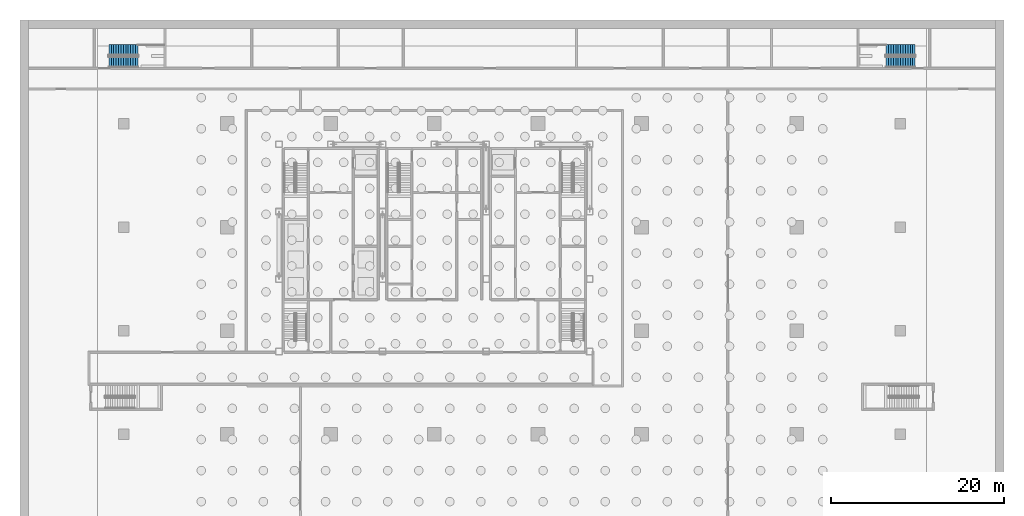
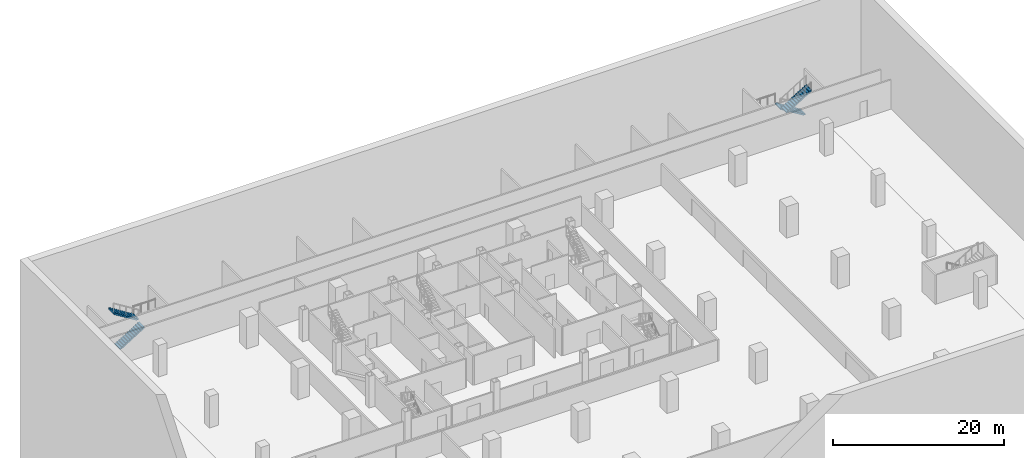
# One storey, part 14 of 18: 4 stair flights, 2 elements without a shape of their own.
"""IFC4 building model written with IfcOpenShell, lengths in metres."""

from ifc_helpers import new_model, si_unit, direction, frame, origin, place, context, subcontext, project, spatial, polyline, outline, extrude, material, type_object, element, aggregate, save


model = new_model("IFC4")

# Units and contexts
model_context = context("Model", 3, precision=1e-05, world=origin(), true_north=direction((0.0, 1.0)))
body_context = subcontext(model_context, "Body", "Model", "MODEL_VIEW")
ifc_project = project(units=[si_unit("LENGTHUNIT", "METRE"), si_unit("AREAUNIT", "SQUARE_METRE"), si_unit("VOLUMEUNIT", "CUBIC_METRE"), si_unit("PLANEANGLEUNIT", "RADIAN"), si_unit("MASSUNIT", "GRAM", prefix="KILO")], contexts=[model_context])

# Site, building, storey
site_placement = place(None, origin())
site = spatial("IfcSite", under=ifc_project, at=site_placement, CompositionType="ELEMENT")
building_placement = place(site_placement, origin())
building = spatial("IfcBuilding", under=site, at=building_placement, Name="Sorahane Residences", CompositionType="ELEMENT")
storey_placement = place(building_placement, frame((0.0, 0.0, -13.5)))
storey = spatial("IfcBuildingStorey", under=building, at=storey_placement, Name="B3", CompositionType="ELEMENT", Elevation=-13.5)

# Stair, stair flights
ifc_material_1 = material(Name="Concrete C40", Category="concrete")
stair_type = type_object("IfcStairType", Name="Dog-leg stair 1250 Concrete C40", PredefinedType="HALF_TURN_STAIR", material=ifc_material_1)
stair_1_placement = place(storey_placement, origin())
stair_1 = element("IfcStair", 1, at=stair_1_placement, inside=storey, type_object=stair_type, Name="B3 Basement stair BS1", PredefinedType="HALF_TURN_STAIR")
ifc_material_2 = material(Name="Concrete C40", Category="concrete")
stair_flight_type = type_object("IfcStairFlightType", Name="Stair flight 1250 Concrete C40", PredefinedType="STRAIGHT", material=ifc_material_2)
stair_flight_1_placement = place(storey_placement, frame((-13.699951171875, 55.125, 0.0), z_axis=(0.0, 0.0, 1.0), x_axis=(1.0, 0.0, 0.0)))
stair_flight_1 = element("IfcStairFlight", 2, at=stair_flight_1_placement, type_object=stair_flight_type, Name="BS1 flight 1", NumberOfRisers=13, NumberOfTreads=12, PredefinedType="STRAIGHT", RiserHeight=0.173076923, TreadLength=0.28, context=body_context, shape_type="SweptSolid", body=[
    extrude(outline(polyline([(-0.00146484375, 0.0), (-0.00146484375, 0.173095703125), (0.0, 0.173095703125), (0.280029296875, 0.173095703125), (0.280029296875, 0.34619140625), (0.56005859375, 0.34619140625), (0.56005859375, 0.519287109375), (0.840087890625, 0.519287109375), (0.840087890625, 0.6923828125), (1.1201171875, 0.6923828125), (1.1201171875, 0.865478515625), (1.39990234375, 0.865478515625), (1.39990234375, 1.03857421875), (1.679931640625, 1.03857421875), (1.679931640625, 1.21142578125), (1.9599609375, 1.21142578125), (1.9599609375, 1.384521484375), (2.239990234375, 1.384521484375), (2.239990234375, 1.5576171875), (2.52001953125, 1.5576171875), (2.52001953125, 1.730712890625), (2.800048828125, 1.730712890625), (2.800048828125, 1.90380859375), (3.080078125, 1.90380859375), (3.080078125, 2.076904296875), (3.360107421875, 2.076904296875), (3.360107421875, 2.25), (3.360107421875, 1.900634765625), (3.140380859375, 1.764892578125), (2.920654296875, 1.629150390625), (2.701171875, 1.493408203125), (2.4814453125, 1.357666015625), (2.26171875, 1.221923828125), (2.042236328125, 1.086181640625), (1.822509765625, 0.950439453125), (1.60302734375, 0.814697265625), (1.38330078125, 0.6787109375), (1.16357421875, 0.54296875), (0.944091796875, 0.4072265625), (0.724365234375, 0.271484375), (0.504638671875, 0.1357421875), (0.28515625, 0.0), (-0.00146484375, 0.0)])), frame((0.0, 0.625, 0.0), z_axis=(0.0, -1.0, 0.0), x_axis=(1.0, 0.0, 0.0)), (0.0, 0.0, 1.0), 1.25),
])
stair_flight_2_placement = place(storey_placement, frame((-10.340087890625, 56.52490234375, 2.25), z_axis=(0.0, 0.0, 1.0), x_axis=(-1.0, 0.0, 0.0)))
stair_flight_2 = element("IfcStairFlight", 3, at=stair_flight_2_placement, type_object=stair_flight_type, Name="BS1 flight 2", NumberOfRisers=13, NumberOfTreads=12, PredefinedType="STRAIGHT", RiserHeight=0.173076923, TreadLength=0.28, context=body_context, shape_type="SweptSolid", body=[
    extrude(outline(polyline([(0.0, 0.0), (0.0, 0.173095703125), (0.280029296875, 0.173095703125), (0.280029296875, 0.34619140625), (0.56005859375, 0.34619140625), (0.56005859375, 0.519287109375), (0.840087890625, 0.519287109375), (0.840087890625, 0.6923828125), (1.1201171875, 0.6923828125), (1.1201171875, 0.865478515625), (1.39990234375, 0.865478515625), (1.39990234375, 1.03857421875), (1.679931640625, 1.03857421875), (1.679931640625, 1.21142578125), (1.9599609375, 1.21142578125), (1.9599609375, 1.384521484375), (2.239990234375, 1.384521484375), (2.239990234375, 1.5576171875), (2.52001953125, 1.5576171875), (2.52001953125, 1.730712890625), (2.800048828125, 1.730712890625), (2.800048828125, 1.90380859375), (3.080078125, 1.90380859375), (3.080078125, 2.076904296875), (3.360107421875, 2.076904296875), (3.360107421875, 2.25), (3.361572265625, 2.25), (3.361572265625, 1.900634765625), (3.141845703125, 1.764892578125), (2.922119140625, 1.629150390625), (2.702392578125, 1.493408203125), (2.482421875, 1.357666015625), (2.2626953125, 1.221923828125), (2.04296875, 1.086181640625), (1.8232421875, 0.950439453125), (1.603515625, 0.814697265625), (1.3837890625, 0.6787109375), (1.1640625, 0.54296875), (0.9443359375, 0.4072265625), (0.724609375, 0.271484375), (0.5048828125, 0.1357421875), (0.28515625, 0.0), (0.0, 0.0)])), frame((0.0, 0.625, 0.0), z_axis=(0.0, -1.0, 0.0), x_axis=(1.0, 0.0, 0.0)), (0.0, 0.0, 1.0), 1.25),
])
aggregate(stair_1, [stair_flight_1, stair_flight_2])

stair_2_placement = place(storey_placement, origin())
stair_2 = element("IfcStair", 4, at=stair_2_placement, inside=storey, type_object=stair_type, Name="B3 Basement stair BS2", PredefinedType="HALF_TURN_STAIR")
stair_flight_3_placement = place(storey_placement, frame((79.699951171875, 56.52490234375, 0.0), z_axis=(0.0, 0.0, 1.0), x_axis=(-1.0, 0.0, 0.0)))
stair_flight_3 = element("IfcStairFlight", 5, at=stair_flight_3_placement, type_object=stair_flight_type, Name="BS2 flight 1", NumberOfRisers=13, NumberOfTreads=12, PredefinedType="STRAIGHT", RiserHeight=0.173076923, TreadLength=0.28, context=body_context, shape_type="SweptSolid", body=[
    extrude(outline(polyline([(-0.00146484375, 0.0), (-0.00146484375, 0.173095703125), (0.0, 0.173095703125), (0.280029296875, 0.173095703125), (0.280029296875, 0.34619140625), (0.56005859375, 0.34619140625), (0.56005859375, 0.519287109375), (0.840087890625, 0.519287109375), (0.840087890625, 0.6923828125), (1.1201171875, 0.6923828125), (1.1201171875, 0.865478515625), (1.39990234375, 0.865478515625), (1.39990234375, 1.03857421875), (1.679931640625, 1.03857421875), (1.679931640625, 1.21142578125), (1.9599609375, 1.21142578125), (1.9599609375, 1.384521484375), (2.239990234375, 1.384521484375), (2.239990234375, 1.5576171875), (2.52001953125, 1.5576171875), (2.52001953125, 1.730712890625), (2.800048828125, 1.730712890625), (2.800048828125, 1.90380859375), (3.080078125, 1.90380859375), (3.080078125, 2.076904296875), (3.360107421875, 2.076904296875), (3.360107421875, 2.25), (3.360107421875, 1.900634765625), (3.140380859375, 1.764892578125), (2.920654296875, 1.629150390625), (2.701171875, 1.493408203125), (2.4814453125, 1.357666015625), (2.26171875, 1.221923828125), (2.042236328125, 1.086181640625), (1.822509765625, 0.950439453125), (1.60302734375, 0.814697265625), (1.38330078125, 0.6787109375), (1.16357421875, 0.54296875), (0.944091796875, 0.4072265625), (0.724365234375, 0.271484375), (0.504638671875, 0.1357421875), (0.28515625, 0.0), (-0.00146484375, 0.0)])), frame((0.0, 0.625, 0.0), z_axis=(0.0, -1.0, 0.0), x_axis=(1.0, 0.0, 0.0)), (0.0, 0.0, 1.0), 1.25),
])
stair_flight_4_placement = place(storey_placement, frame((76.340087890625, 55.125, 2.25), z_axis=(0.0, 0.0, 1.0), x_axis=(1.0, 0.0, 0.0)))
stair_flight_4 = element("IfcStairFlight", 6, at=stair_flight_4_placement, type_object=stair_flight_type, Name="BS2 flight 2", NumberOfRisers=13, NumberOfTreads=12, PredefinedType="STRAIGHT", RiserHeight=0.173076923, TreadLength=0.28, context=body_context, shape_type="SweptSolid", body=[
    extrude(outline(polyline([(0.0, 0.0), (0.0, 0.173095703125), (0.280029296875, 0.173095703125), (0.280029296875, 0.34619140625), (0.56005859375, 0.34619140625), (0.56005859375, 0.519287109375), (0.840087890625, 0.519287109375), (0.840087890625, 0.6923828125), (1.1201171875, 0.6923828125), (1.1201171875, 0.865478515625), (1.39990234375, 0.865478515625), (1.39990234375, 1.03857421875), (1.679931640625, 1.03857421875), (1.679931640625, 1.21142578125), (1.9599609375, 1.21142578125), (1.9599609375, 1.384521484375), (2.239990234375, 1.384521484375), (2.239990234375, 1.5576171875), (2.52001953125, 1.5576171875), (2.52001953125, 1.730712890625), (2.800048828125, 1.730712890625), (2.800048828125, 1.90380859375), (3.080078125, 1.90380859375), (3.080078125, 2.076904296875), (3.360107421875, 2.076904296875), (3.360107421875, 2.25), (3.361572265625, 2.25), (3.361572265625, 1.900634765625), (3.141845703125, 1.764892578125), (2.922119140625, 1.629150390625), (2.702392578125, 1.493408203125), (2.482421875, 1.357666015625), (2.2626953125, 1.221923828125), (2.04296875, 1.086181640625), (1.8232421875, 0.950439453125), (1.603515625, 0.814697265625), (1.3837890625, 0.6787109375), (1.1640625, 0.54296875), (0.9443359375, 0.4072265625), (0.724609375, 0.271484375), (0.5048828125, 0.1357421875), (0.28515625, 0.0), (0.0, 0.0)])), frame((0.0, 0.625, 0.0), z_axis=(0.0, -1.0, 0.0), x_axis=(1.0, 0.0, 0.0)), (0.0, 0.0, 1.0), 1.25),
])
aggregate(stair_2, [stair_flight_3, stair_flight_4])

save(model, "model.ifc")
